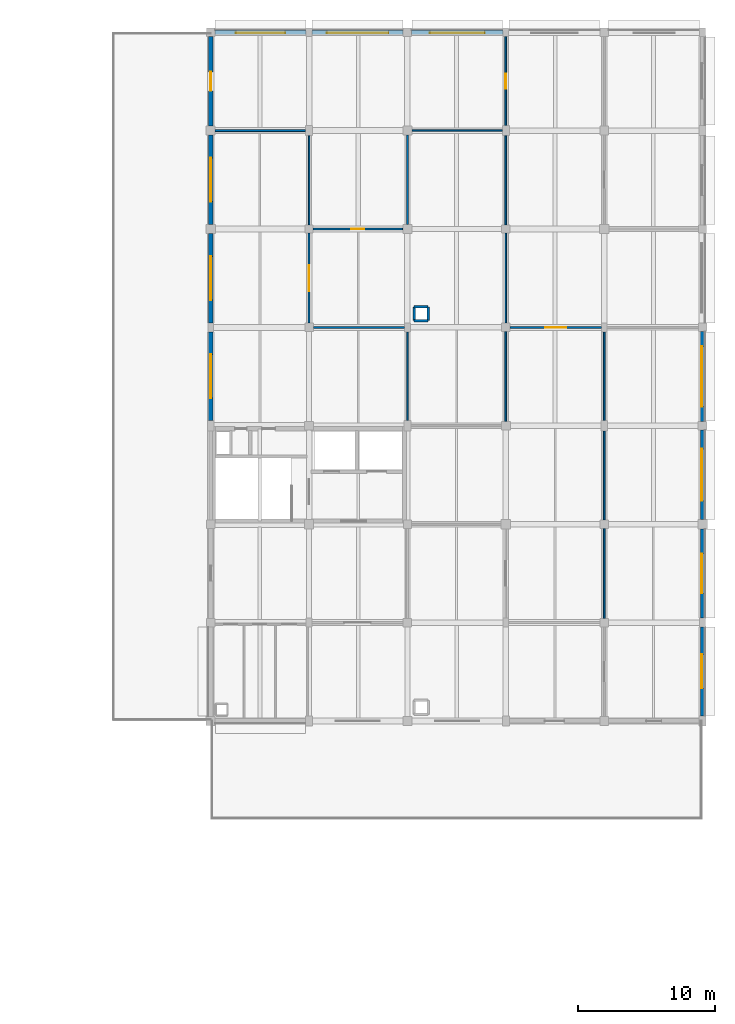
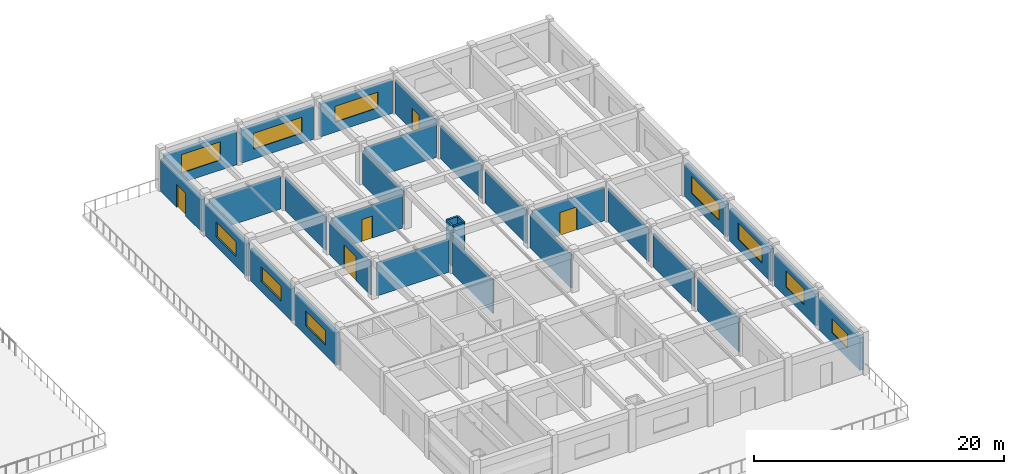
# One storey, part 30 of 38: 31 walls, 10 windows, 5 doors, 15 openings.
"""IFC4 building model written with IfcOpenShell, lengths in metres."""

from ifc_helpers import new_model, si_unit, direction, frame, frame_2d, origin, place, context, subcontext, project, spatial, rectangle, extrude, material, layer, layer_set, type_object, element, fill, save


model = new_model("IFC4")

# Units and contexts
model_context = context("Model", 3, precision=1e-05, world=origin(), true_north=direction((0.0, 1.0)))
body_context = subcontext(model_context, "Body", "Model", "MODEL_VIEW")
ifc_project = project(units=[si_unit("LENGTHUNIT", "METRE"), si_unit("AREAUNIT", "SQUARE_METRE"), si_unit("VOLUMEUNIT", "CUBIC_METRE"), si_unit("PLANEANGLEUNIT", "RADIAN"), si_unit("MASSUNIT", "GRAM", prefix="KILO")], contexts=[model_context])

# Site, building, storey
site_placement = place(None, origin())
site = spatial("IfcSite", under=ifc_project, at=site_placement, CompositionType="ELEMENT")
building_placement = place(site_placement, origin())
building = spatial("IfcBuilding", under=site, at=building_placement, Name="Thalmaran Polytechnic", CompositionType="ELEMENT")
storey_placement = place(building_placement, frame((0.0, 0.0, 18.60009765625)))
storey = spatial("IfcBuildingStorey", under=building, at=storey_placement, Name="L04", CompositionType="ELEMENT", Elevation=18.60009765625)

# Wall, opening, door
ifc_material_1 = material(Name="Precast concrete C40/50", Category="concrete")
ifc_layer_1 = layer(ifc_material_1, 0.330078125, Name="Precast concrete C40/50")
ifc_layer_set_1 = layer_set([ifc_layer_1], Name="Precast concrete C40/50")
wall_type_1 = type_object("IfcWallType", Name="WL-EW02", PredefinedType="STANDARD", material=ifc_layer_set_1)
wall_1_placement = place(storey_placement, frame((136.800048828125, 115.52490234375, 0.0), z_axis=(0.0, 0.0, 1.0), x_axis=(0.0, 1.0, 0.0)))
wall_1 = element("IfcWall", 1, at=wall_1_placement, inside=storey, type_object=wall_type_1, Name="Terrace Access Wall L04-001", PredefinedType="STANDARD", context=body_context, shape_type="SweptSolid", body=[
    extrude(rectangle(XDim=6.565185546875, YDim=0.330078125, at=frame_2d((3.28271484375, 0.0))), origin(), (0.0, 0.0, 1.0), 3.159912109375),
])
opening_1_placement = place(wall_1_placement, frame((2.58251953125, 0.0, 0.0)))
opening_1 = element("IfcOpeningElement", 2, at=opening_1_placement, cuts=wall_1, Name="Opening TD-009", PredefinedType="OPENING", context=body_context, shape_type="SweptSolid", body=[
    extrude(rectangle(XDim=1.39990234375, YDim=2.25, at=frame_2d((0.699951171875, 1.125))), frame((0.0, 0.175048828125, 0.0), z_axis=(0.0, -1.0, 0.0), x_axis=(1.0, 0.0, 0.0)), (0.0, 0.0, 1.0), 0.35009765625),
])
ifc_material_2 = material(Name="Anodised aluminium and safety glass", Category="aluminium")
door_type_1 = type_object("IfcDoorType", Name="DR-TD01", OperationType="NOTDEFINED", PredefinedType="DOOR", material=ifc_material_2)
door_1_placement = place(opening_1_placement, origin())
door_1 = element("IfcDoor", 3, at=door_1_placement, inside=storey, type_object=door_type_1, Name="Terrace Access Door TD-009", OperationType="SINGLE_SWING_LEFT", OverallHeight=2.25, OverallWidth=1.39990234375, PredefinedType="DOOR", context=body_context, shape_type="SweptSolid", body=[
    extrude(rectangle(XDim=1.39990234375, YDim=2.25, at=frame_2d((0.699951171875, 1.125))), frame((0.0, 0.02490234375, 0.0), z_axis=(0.0, -1.0, 0.0), x_axis=(1.0, 0.0, 0.0)), (0.0, 0.0, 1.0), 0.050048828125),
])
fill(opening_1, door_1)

# Wall, opening, window
wall_2_placement = place(storey_placement, frame((136.800048828125, 93.97509765625, 0.0), z_axis=(0.0, 0.0, 1.0), x_axis=(0.0, 1.0, 0.0)))
wall_2 = element("IfcWall", 4, at=wall_2_placement, inside=storey, type_object=wall_type_1, Name="Terrace Access Wall L04-022", PredefinedType="STANDARD", context=body_context, shape_type="SweptSolid", body=[
    extrude(rectangle(XDim=6.5048828125, YDim=0.330078125, at=frame_2d((3.25244140625, 0.0))), origin(), (0.0, 0.0, 1.0), 3.159912109375),
])
opening_2_placement = place(wall_2_placement, frame((1.652587890625, 0.0, 0.949951171875)))
opening_2 = element("IfcOpeningElement", 5, at=opening_2_placement, cuts=wall_2, Name="Opening RW04", PredefinedType="OPENING", context=body_context, shape_type="SweptSolid", body=[
    extrude(rectangle(XDim=3.199951171875, YDim=1.449951171875, at=frame_2d((1.60009765625, 0.72509765625))), frame((0.0, 0.175048828125, 0.0), z_axis=(0.0, -1.0, 0.0), x_axis=(1.0, 0.0, 0.0)), (0.0, 0.0, 1.0), 0.35009765625),
])
ifc_material_3 = material(Name="Thermally broken aluminium and double low-E glass", Category="aluminium")
window_type_1 = type_object("IfcWindowType", Name="WN-RW04", PartitioningType="DOUBLE_PANEL_VERTICAL", PredefinedType="WINDOW", material=ifc_material_3)
window_1_placement = place(opening_2_placement, origin())
window_1 = element("IfcWindow", 6, at=window_1_placement, inside=storey, type_object=window_type_1, Name="Terrace Ribbon Window W-0545", OverallHeight=1.449951171875, OverallWidth=3.199951171875, PartitioningType="SINGLE_PANEL", PredefinedType="WINDOW", context=body_context, shape_type="SweptSolid", body=[
    extrude(rectangle(XDim=3.199951171875, YDim=1.449951171875, at=frame_2d((1.60009765625, 0.72509765625))), frame((0.0, 0.030029296875, 0.0), z_axis=(0.0, -1.0, 0.0), x_axis=(1.0, 0.0, 0.0)), (0.0, 0.0, 1.0), 0.06005859375),
])
fill(opening_2, window_1)

wall_3_placement = place(storey_placement, frame((136.800048828125, 101.1201171875, 0.0), z_axis=(0.0, 0.0, 1.0), x_axis=(0.0, 1.0, 0.0)))
wall_3 = element("IfcWall", 7, at=wall_3_placement, inside=storey, type_object=wall_type_1, Name="Terrace Access Wall L04-023", PredefinedType="STANDARD", context=body_context, shape_type="SweptSolid", body=[
    extrude(rectangle(XDim=6.539794921875, YDim=0.330078125, at=frame_2d((3.27001953125, 0.0))), origin(), (0.0, 0.0, 1.0), 3.159912109375),
])
opening_3_placement = place(wall_3_placement, frame((1.669921875, 0.0, 0.949951171875)))
opening_3 = element("IfcOpeningElement", 8, at=opening_3_placement, cuts=wall_3, Name="Opening RW04", PredefinedType="OPENING", context=body_context, shape_type="SweptSolid", body=[
    extrude(rectangle(XDim=3.199951171875, YDim=1.449951171875, at=frame_2d((1.60009765625, 0.72509765625))), frame((0.0, 0.175048828125, 0.0), z_axis=(0.0, -1.0, 0.0), x_axis=(1.0, 0.0, 0.0)), (0.0, 0.0, 1.0), 0.35009765625),
])
window_2_placement = place(opening_3_placement, origin())
window_2 = element("IfcWindow", 9, at=window_2_placement, inside=storey, type_object=window_type_1, Name="Terrace Ribbon Window W-0546", OverallHeight=1.449951171875, OverallWidth=3.199951171875, PartitioningType="SINGLE_PANEL", PredefinedType="WINDOW", context=body_context, shape_type="SweptSolid", body=[
    extrude(rectangle(XDim=3.199951171875, YDim=1.449951171875, at=frame_2d((1.60009765625, 0.72509765625))), frame((0.0, 0.030029296875, 0.0), z_axis=(0.0, -1.0, 0.0), x_axis=(1.0, 0.0, 0.0)), (0.0, 0.0, 1.0), 0.06005859375),
])
fill(opening_3, window_2)

wall_4_placement = place(storey_placement, frame((136.800048828125, 108.340087890625, 0.0), z_axis=(0.0, 0.0, 1.0), x_axis=(0.0, 1.0, 0.0)))
wall_4 = element("IfcWall", 10, at=wall_4_placement, inside=storey, type_object=wall_type_1, Name="Terrace Access Wall L04-024", PredefinedType="STANDARD", context=body_context, shape_type="SweptSolid", body=[
    extrude(rectangle(XDim=6.534912109375, YDim=0.330078125, at=frame_2d((3.267578125, 0.0))), origin(), (0.0, 0.0, 1.0), 3.159912109375),
])
opening_4_placement = place(wall_4_placement, frame((1.66748046875, 0.0, 0.949951171875)))
opening_4 = element("IfcOpeningElement", 11, at=opening_4_placement, cuts=wall_4, Name="Opening RW04", PredefinedType="OPENING", context=body_context, shape_type="SweptSolid", body=[
    extrude(rectangle(XDim=3.199951171875, YDim=1.449951171875, at=frame_2d((1.60009765625, 0.72509765625))), frame((0.0, 0.175048828125, 0.0), z_axis=(0.0, -1.0, 0.0), x_axis=(1.0, 0.0, 0.0)), (0.0, 0.0, 1.0), 0.35009765625),
])
window_3_placement = place(opening_4_placement, origin())
window_3 = element("IfcWindow", 12, at=window_3_placement, inside=storey, type_object=window_type_1, Name="Terrace Ribbon Window W-0547", OverallHeight=1.449951171875, OverallWidth=3.199951171875, PartitioningType="SINGLE_PANEL", PredefinedType="WINDOW", context=body_context, shape_type="SweptSolid", body=[
    extrude(rectangle(XDim=3.199951171875, YDim=1.449951171875, at=frame_2d((1.60009765625, 0.72509765625))), frame((0.0, 0.030029296875, 0.0), z_axis=(0.0, -1.0, 0.0), x_axis=(1.0, 0.0, 0.0)), (0.0, 0.0, 1.0), 0.06005859375),
])
fill(opening_4, window_3)

ifc_layer_2 = layer(ifc_material_1, 0.31005859375, Name="Precast concrete C40/50")
ifc_layer_set_2 = layer_set([ifc_layer_2], Name="Precast concrete C40/50")
wall_type_2 = type_object("IfcWallType", Name="WL-EW03", PredefinedType="STANDARD", material=ifc_layer_set_2)
wall_5_placement = place(storey_placement, frame((137.110107421875, 122.39990234375, 0.0), z_axis=(0.0, 0.0, 1.0), x_axis=(1.0, 0.0, 0.0)))
wall_5 = element("IfcWall", 13, at=wall_5_placement, inside=storey, type_object=wall_type_2, Name="Exterior Precast Facade Wall L04-002", PredefinedType="STANDARD", context=body_context, shape_type="SweptSolid", body=[
    extrude(rectangle(XDim=6.679931640625, YDim=0.31005859375, at=frame_2d((3.33984375, 0.0))), origin(), (0.0, 0.0, 1.0), 3.2099609375),
])
opening_5_placement = place(wall_5_placement, frame((1.5400390625, 0.0, 0.97998046875)))
opening_5 = element("IfcOpeningElement", 14, at=opening_5_placement, cuts=wall_5, Name="Opening RW08", PredefinedType="OPENING", context=body_context, shape_type="SweptSolid", body=[
    extrude(rectangle(XDim=3.60009765625, YDim=1.800048828125, at=frame_2d((1.800048828125, 0.89990234375))), frame((0.0, 0.1650390625, 0.0), z_axis=(0.0, -1.0, 0.0), x_axis=(1.0, 0.0, 0.0)), (0.0, 0.0, 1.0), 0.330078125),
])
window_type_2 = type_object("IfcWindowType", Name="WN-RW08", PartitioningType="DOUBLE_PANEL_VERTICAL", PredefinedType="WINDOW", material=ifc_material_3)
window_4_placement = place(opening_5_placement, origin())
window_4 = element("IfcWindow", 15, at=window_4_placement, inside=storey, type_object=window_type_2, Name="Streamline Ribbon Window W-0531", OverallHeight=1.800048828125, OverallWidth=3.60009765625, PartitioningType="SINGLE_PANEL", PredefinedType="WINDOW", context=body_context, shape_type="SweptSolid", body=[
    extrude(rectangle(XDim=3.60009765625, YDim=1.800048828125, at=frame_2d((1.800048828125, 0.89990234375))), frame((0.0, -0.030029296875, 0.0), z_axis=(0.0, -1.0, 0.0), x_axis=(1.0, 0.0, 0.0)), (0.0, 0.0, 1.0), 0.06005859375),
])
fill(opening_5, window_4)

wall_6_placement = place(storey_placement, frame((144.2099609375, 122.39990234375, 0.0), z_axis=(0.0, 0.0, 1.0), x_axis=(1.0, 0.0, 0.0)))
wall_6 = element("IfcWall", 16, at=wall_6_placement, inside=storey, type_object=wall_type_2, Name="Exterior Precast Facade Wall L04-003", PredefinedType="STANDARD", context=body_context, shape_type="SweptSolid", body=[
    extrude(rectangle(XDim=6.679931640625, YDim=0.31005859375, at=frame_2d((3.33984375, 0.0))), origin(), (0.0, 0.0, 1.0), 3.2099609375),
])
opening_6_placement = place(wall_6_placement, frame((1.090087890625, 0.0, 0.97998046875)))
opening_6 = element("IfcOpeningElement", 17, at=opening_6_placement, cuts=wall_6, Name="Opening VW01", PredefinedType="OPENING", context=body_context, shape_type="SweptSolid", body=[
    extrude(rectangle(XDim=4.5, YDim=1.550048828125, at=frame_2d((2.25, 0.77490234375))), frame((0.0, 0.1650390625, 0.0), z_axis=(0.0, -1.0, 0.0), x_axis=(1.0, 0.0, 0.0)), (0.0, 0.0, 1.0), 0.330078125),
])
window_type_3 = type_object("IfcWindowType", Name="WN-VZ01", PartitioningType="TRIPLE_PANEL_HORIZONTAL", PredefinedType="WINDOW", material=ifc_material_3)
window_5_placement = place(opening_6_placement, origin())
window_5 = element("IfcWindow", 18, at=window_5_placement, inside=storey, type_object=window_type_3, Name="Streamline Ribbon Window W-0532", OverallHeight=1.550048828125, OverallWidth=4.5, PartitioningType="SINGLE_PANEL", PredefinedType="WINDOW", context=body_context, shape_type="SweptSolid", body=[
    extrude(rectangle(XDim=4.5, YDim=1.550048828125, at=frame_2d((2.25, 0.77490234375))), frame((0.0, -0.030029296875, 0.0), z_axis=(0.0, -1.0, 0.0), x_axis=(1.0, 0.0, 0.0)), (0.0, 0.0, 1.0), 0.06005859375),
])
fill(opening_6, window_5)

wall_7_placement = place(storey_placement, frame((151.510009765625, 122.39990234375, 0.0), z_axis=(0.0, 0.0, 1.0), x_axis=(1.0, 0.0, 0.0)))
wall_7 = element("IfcWall", 19, at=wall_7_placement, inside=storey, type_object=wall_type_2, Name="Exterior Precast Facade Wall L04-004", PredefinedType="STANDARD", context=body_context, shape_type="SweptSolid", body=[
    extrude(rectangle(XDim=6.679931640625, YDim=0.31005859375, at=frame_2d((3.33984375, 0.0))), origin(), (0.0, 0.0, 1.0), 3.2099609375),
])
opening_7_placement = place(wall_7_placement, frame((1.340087890625, 0.0, 0.97998046875)))
opening_7 = element("IfcOpeningElement", 20, at=opening_7_placement, cuts=wall_7, Name="Opening VW02", PredefinedType="OPENING", context=body_context, shape_type="SweptSolid", body=[
    extrude(rectangle(XDim=4.0, YDim=1.550048828125, at=frame_2d((2.0, 0.77490234375))), frame((0.0, 0.1650390625, 0.0), z_axis=(0.0, -1.0, 0.0), x_axis=(1.0, 0.0, 0.0)), (0.0, 0.0, 1.0), 0.330078125),
])
window_type_4 = type_object("IfcWindowType", Name="WN-VZ02", PartitioningType="TRIPLE_PANEL_HORIZONTAL", PredefinedType="WINDOW", material=ifc_material_3)
window_6_placement = place(opening_7_placement, origin())
window_6 = element("IfcWindow", 21, at=window_6_placement, inside=storey, type_object=window_type_4, Name="Streamline Ribbon Window W-0533", OverallHeight=1.550048828125, OverallWidth=4.0, PartitioningType="SINGLE_PANEL", PredefinedType="WINDOW", context=body_context, shape_type="SweptSolid", body=[
    extrude(rectangle(XDim=4.0, YDim=1.550048828125, at=frame_2d((2.0, 0.77490234375))), frame((0.0, -0.030029296875, 0.0), z_axis=(0.0, -1.0, 0.0), x_axis=(1.0, 0.0, 0.0)), (0.0, 0.0, 1.0), 0.06005859375),
])
fill(opening_7, window_6)

wall_8_placement = place(storey_placement, frame((172.800048828125, 100.489990234375, 0.0), z_axis=(0.0, 0.0, 1.0), x_axis=(0.0, -1.0, 0.0)))
wall_8 = element("IfcWall", 22, at=wall_8_placement, inside=storey, type_object=wall_type_2, Name="Exterior Precast Facade Wall L04-010", PredefinedType="STANDARD", context=body_context, shape_type="SweptSolid", body=[
    extrude(rectangle(XDim=6.56494140625, YDim=0.31005859375, at=frame_2d((3.282470703125, 0.0))), origin(), (0.0, 0.0, 1.0), 3.159912109375),
])
opening_8_placement = place(wall_8_placement, frame((1.08251953125, 0.0, 0.97998046875)))
opening_8 = element("IfcOpeningElement", 23, at=opening_8_placement, cuts=wall_8, Name="Opening VW16", PredefinedType="OPENING", context=body_context, shape_type="SweptSolid", body=[
    extrude(rectangle(XDim=4.39990234375, YDim=1.64990234375, at=frame_2d((2.199951171875, 0.824951171875))), frame((0.0, 0.1650390625, 0.0), z_axis=(0.0, -1.0, 0.0), x_axis=(1.0, 0.0, 0.0)), (0.0, 0.0, 1.0), 0.330078125),
])
window_type_5 = type_object("IfcWindowType", Name="WN-VZ16", PartitioningType="TRIPLE_PANEL_HORIZONTAL", PredefinedType="WINDOW", material=ifc_material_3)
window_7_placement = place(opening_8_placement, origin())
window_7 = element("IfcWindow", 24, at=window_7_placement, inside=storey, type_object=window_type_5, Name="Streamline Ribbon Window W-0539", OverallHeight=1.64990234375, OverallWidth=4.39990234375, PartitioningType="SINGLE_PANEL", PredefinedType="WINDOW", context=body_context, shape_type="SweptSolid", body=[
    extrude(rectangle(XDim=4.39990234375, YDim=1.64990234375, at=frame_2d((2.199951171875, 0.824951171875))), frame((0.0, -0.030029296875, 0.0), z_axis=(0.0, -1.0, 0.0), x_axis=(1.0, 0.0, 0.0)), (0.0, 0.0, 1.0), 0.06005859375),
])
fill(opening_8, window_7)

wall_9_placement = place(storey_placement, frame((172.800048828125, 93.27490234375, 0.0), z_axis=(0.0, 0.0, 1.0), x_axis=(0.0, -1.0, 0.0)))
wall_9 = element("IfcWall", 25, at=wall_9_placement, inside=storey, type_object=wall_type_2, Name="Exterior Precast Facade Wall L04-011", PredefinedType="STANDARD", context=body_context, shape_type="SweptSolid", body=[
    extrude(rectangle(XDim=6.534912109375, YDim=0.31005859375, at=frame_2d((3.267578125, 0.0))), origin(), (0.0, 0.0, 1.0), 3.159912109375),
])
opening_9_placement = place(wall_9_placement, frame((1.367431640625, 0.0, 0.97998046875)))
opening_9 = element("IfcOpeningElement", 26, at=opening_9_placement, cuts=wall_9, Name="Opening VW17", PredefinedType="OPENING", context=body_context, shape_type="SweptSolid", body=[
    extrude(rectangle(XDim=3.800048828125, YDim=1.60009765625, at=frame_2d((1.89990234375, 0.800048828125))), frame((0.0, 0.1650390625, 0.0), z_axis=(0.0, -1.0, 0.0), x_axis=(1.0, 0.0, 0.0)), (0.0, 0.0, 1.0), 0.330078125),
])
window_type_6 = type_object("IfcWindowType", Name="WN-VZ17", PartitioningType="DOUBLE_PANEL_VERTICAL", PredefinedType="WINDOW", material=ifc_material_3)
window_8_placement = place(opening_9_placement, origin())
window_8 = element("IfcWindow", 27, at=window_8_placement, inside=storey, type_object=window_type_6, Name="Streamline Ribbon Window W-0540", OverallHeight=1.60009765625, OverallWidth=3.800048828125, PartitioningType="SINGLE_PANEL", PredefinedType="WINDOW", context=body_context, shape_type="SweptSolid", body=[
    extrude(rectangle(XDim=3.800048828125, YDim=1.60009765625, at=frame_2d((1.89990234375, 0.800048828125))), frame((0.0, -0.030029296875, 0.0), z_axis=(0.0, -1.0, 0.0), x_axis=(1.0, 0.0, 0.0)), (0.0, 0.0, 1.0), 0.06005859375),
])
fill(opening_9, window_8)

wall_10_placement = place(storey_placement, frame((172.800048828125, 86.06005859375, 0.0), z_axis=(0.0, 0.0, 1.0), x_axis=(0.0, -1.0, 0.0)))
wall_10 = element("IfcWall", 28, at=wall_10_placement, inside=storey, type_object=wall_type_2, Name="Exterior Precast Facade Wall L04-012", PredefinedType="STANDARD", context=body_context, shape_type="SweptSolid", body=[
    extrude(rectangle(XDim=6.5400390625, YDim=0.31005859375, at=frame_2d((3.27001953125, 0.0))), origin(), (0.0, 0.0, 1.0), 3.159912109375),
])
opening_10_placement = place(wall_10_placement, frame((1.820068359375, 0.0, 0.97998046875)))
opening_10 = element("IfcOpeningElement", 29, at=opening_10_placement, cuts=wall_10, Name="Opening VW18", PredefinedType="OPENING", context=body_context, shape_type="SweptSolid", body=[
    extrude(rectangle(XDim=2.89990234375, YDim=1.60009765625, at=frame_2d((1.449951171875, 0.800048828125))), frame((0.0, 0.1650390625, 0.0), z_axis=(0.0, -1.0, 0.0), x_axis=(1.0, 0.0, 0.0)), (0.0, 0.0, 1.0), 0.330078125),
])
window_type_7 = type_object("IfcWindowType", Name="WN-VZ18", PartitioningType="DOUBLE_PANEL_VERTICAL", PredefinedType="WINDOW", material=ifc_material_3)
window_9_placement = place(opening_10_placement, origin())
window_9 = element("IfcWindow", 30, at=window_9_placement, inside=storey, type_object=window_type_7, Name="Streamline Ribbon Window W-0541", OverallHeight=1.60009765625, OverallWidth=2.89990234375, PartitioningType="SINGLE_PANEL", PredefinedType="WINDOW", context=body_context, shape_type="SweptSolid", body=[
    extrude(rectangle(XDim=2.89990234375, YDim=1.60009765625, at=frame_2d((1.449951171875, 0.800048828125))), frame((0.0, -0.030029296875, 0.0), z_axis=(0.0, -1.0, 0.0), x_axis=(1.0, 0.0, 0.0)), (0.0, 0.0, 1.0), 0.06005859375),
])
fill(opening_10, window_9)

wall_11_placement = place(storey_placement, frame((172.800048828125, 78.8798828125, 0.0), z_axis=(0.0, 0.0, 1.0), x_axis=(0.0, -1.0, 0.0)))
wall_11 = element("IfcWall", 31, at=wall_11_placement, inside=storey, type_object=wall_type_2, Name="Exterior Precast Facade Wall L04-013", PredefinedType="STANDARD", context=body_context, shape_type="SweptSolid", body=[
    extrude(rectangle(XDim=6.5048828125, YDim=0.31005859375, at=frame_2d((3.25244140625, 0.0))), origin(), (0.0, 0.0, 1.0), 3.159912109375),
])
opening_11_placement = place(wall_11_placement, frame((2.00244140625, 0.0, 0.97998046875)))
opening_11 = element("IfcOpeningElement", 32, at=opening_11_placement, cuts=wall_11, Name="Opening VW19", PredefinedType="OPENING", context=body_context, shape_type="SweptSolid", body=[
    extrude(rectangle(XDim=2.5, YDim=1.35009765625, at=frame_2d((1.25, 0.675048828125))), frame((0.0, 0.1650390625, 0.0), z_axis=(0.0, -1.0, 0.0), x_axis=(1.0, 0.0, 0.0)), (0.0, 0.0, 1.0), 0.330078125),
])
window_type_8 = type_object("IfcWindowType", Name="WN-VZ19", PartitioningType="DOUBLE_PANEL_VERTICAL", PredefinedType="WINDOW", material=ifc_material_3)
window_10_placement = place(opening_11_placement, origin())
window_10 = element("IfcWindow", 33, at=window_10_placement, inside=storey, type_object=window_type_8, Name="Streamline Ribbon Window W-0542", OverallHeight=1.35009765625, OverallWidth=2.5, PartitioningType="SINGLE_PANEL", PredefinedType="WINDOW", context=body_context, shape_type="SweptSolid", body=[
    extrude(rectangle(XDim=2.5, YDim=1.35009765625, at=frame_2d((1.25, 0.675048828125))), frame((0.0, -0.030029296875, 0.0), z_axis=(0.0, -1.0, 0.0), x_axis=(1.0, 0.0, 0.0)), (0.0, 0.0, 1.0), 0.06005859375),
])
fill(opening_11, window_10)

# Walls
ifc_material_4 = material(Name="Autoclaved aerated masonry", Category="masonry")
ifc_layer_3 = layer(ifc_material_4, 0.179931640625, Name="Autoclaved aerated masonry")
ifc_layer_set_3 = layer_set([ifc_layer_3], Name="Autoclaved aerated masonry")
wall_type_3 = type_object("IfcWallType", Name="WL-IW04", PredefinedType="PARTITIONING", material=ifc_layer_set_3)
for number, where, z_axis, x_axis, name in (
    (34, (151.68994140625, 101.2900390625, 0.0), (0.0, 0.0, 1.0), (1.0, 0.0, 0.0), "Fume Exhaust Riser Shaft Wall L04 (21,14)-S"),
    (35, (152.7099609375, 101.2900390625, 0.0), (0.0, 0.0, 1.0), (0.0, 1.0, 0.0), "Fume Exhaust Riser Shaft Wall L04 (21,14)-E"),
    (36, (152.7099609375, 102.31005859375, 0.0), (0.0, 0.0, 1.0), (-1.0, 0.0, 0.0), "Fume Exhaust Riser Shaft Wall L04 (21,14)-N"),
    (37, (151.68994140625, 102.31005859375, 0.0), (0.0, 0.0, 1.0), (0.0, -1.0, 0.0), "Fume Exhaust Riser Shaft Wall L04 (21,14)-W"),
):
    element("IfcWall", number, at=place(storey_placement, frame(where, z_axis=z_axis, x_axis=x_axis)), inside=storey, type_object=wall_type_3, Name=name, PredefinedType="PARTITIONING", context=body_context, shape_type="SweptSolid", body=[
        extrude(rectangle(XDim=1.02001953125, YDim=0.179931640625, at=frame_2d((0.510009765625, 0.0))), origin(), (0.0, 0.0, 1.0), 3.954833984375),
    ])

# Wall, opening, door
ifc_material_5 = material(Name="Gypsum acoustic partition")
ifc_layer_4 = layer(ifc_material_5, 0.1298828125, Name="Gypsum acoustic partition")
ifc_layer_set_4 = layer_set([ifc_layer_4], Name="Gypsum acoustic partition")
wall_type_4 = type_object("IfcWallType", Name="WL-IW07", PredefinedType="PARTITIONING", material=ifc_layer_set_4)
wall_12_placement = place(storey_placement, frame((144.0, 101.114990234375, 0.0), z_axis=(0.0, 0.0, 1.0), x_axis=(0.0, 1.0, 0.0)))
wall_12 = element("IfcWall", 38, at=wall_12_placement, inside=storey, type_object=wall_type_4, Name="Interior Partition IW07 L04-062", PredefinedType="PARTITIONING", context=body_context, shape_type="SweptSolid", body=[
    extrude(rectangle(XDim=6.580078125, YDim=0.1298828125, at=frame_2d((3.2900390625, 0.0))), origin(), (0.0, 0.0, 1.0), 3.27001953125),
])
opening_12_placement = place(wall_12_placement, frame((2.330078125, 0.0, 0.0)))
opening_12 = element("IfcOpeningElement", 39, at=opening_12_placement, cuts=wall_12, Name="Opening D-L04-033-5-01-1", PredefinedType="OPENING", context=body_context, shape_type="SweptSolid", body=[
    extrude(rectangle(XDim=1.919921875, YDim=2.35009765625, at=frame_2d((0.9599609375, 1.175048828125))), frame((0.0, 0.074951171875, 0.0), z_axis=(0.0, -1.0, 0.0), x_axis=(1.0, 0.0, 0.0)), (0.0, 0.0, 1.0), 0.14990234375),
])
ifc_material_6 = material(Name="Acoustic hardwood and vision glass", Category="wood")
door_type_2 = type_object("IfcDoorType", Name="DR-ZD01", OperationType="NOTDEFINED", PredefinedType="DOOR", material=ifc_material_6)
door_2_placement = place(opening_12_placement, origin())
door_2 = element("IfcDoor", 40, at=door_2_placement, inside=storey, type_object=door_type_2, Name="Process Engineering Laboratory L04-01 Door 1", OperationType="SINGLE_SWING_RIGHT", OverallHeight=2.35009765625, OverallWidth=1.919921875, PredefinedType="DOOR", context=body_context, shape_type="SweptSolid", body=[
    extrude(rectangle(XDim=1.919921875, YDim=2.35009765625, at=frame_2d((0.9599609375, 1.175048828125))), frame((0.0, 0.02490234375, 0.0), z_axis=(0.0, -1.0, 0.0), x_axis=(1.0, 0.0, 0.0)), (0.0, 0.0, 1.0), 0.050048828125),
])
fill(opening_12, door_2)

# Walls
wall_13_placement = place(storey_placement, frame((137.1298828125, 115.199951171875, 0.0), z_axis=(0.0, 0.0, 1.0), x_axis=(1.0, 0.0, 0.0)))
element("IfcWall", 41, at=wall_13_placement, inside=storey, type_object=wall_type_4, Name="Interior Partition IW07 L04-064", PredefinedType="PARTITIONING", context=body_context, shape_type="SweptSolid", body=[
    extrude(rectangle(XDim=6.615234375, YDim=0.1298828125, at=frame_2d((3.3076171875, 0.0))), origin(), (0.0, 0.0, 1.0), 3.239990234375),
])
wall_14_placement = place(storey_placement, frame((144.31494140625, 100.800048828125, 0.0), z_axis=(0.0, 0.0, 1.0), x_axis=(1.0, 0.0, 0.0)))
element("IfcWall", 42, at=wall_14_placement, inside=storey, type_object=wall_type_4, Name="Interior Partition IW07 L04-068", PredefinedType="PARTITIONING", context=body_context, shape_type="SweptSolid", body=[
    extrude(rectangle(XDim=6.670166015625, YDim=0.1298828125, at=frame_2d((3.3349609375, 0.0))), origin(), (0.0, 0.0, 1.0), 3.244873046875),
])
wall_15_placement = place(storey_placement, frame((151.199951171875, 108.344970703125, 0.0), z_axis=(0.0, 0.0, 1.0), x_axis=(0.0, 1.0, 0.0)))
element("IfcWall", 43, at=wall_15_placement, inside=storey, type_object=wall_type_4, Name="Interior Partition IW07 L04-070", PredefinedType="PARTITIONING", context=body_context, shape_type="SweptSolid", body=[
    extrude(rectangle(XDim=6.525146484375, YDim=0.1298828125, at=frame_2d((3.2626953125, 0.0))), origin(), (0.0, 0.0, 1.0), 3.27001953125),
])
wall_16_placement = place(storey_placement, frame((158.39990234375, 93.929931640625, 0.0), z_axis=(0.0, 0.0, 1.0), x_axis=(0.0, 1.0, 0.0)))
element("IfcWall", 44, at=wall_16_placement, inside=storey, type_object=wall_type_4, Name="Interior Partition IW07 L04-074", PredefinedType="PARTITIONING", context=body_context, shape_type="SweptSolid", body=[
    extrude(rectangle(XDim=6.55517578125, YDim=0.1298828125, at=frame_2d((3.277587890625, 0.0))), origin(), (0.0, 0.0, 1.0), 3.27490234375),
])
wall_17_placement = place(storey_placement, frame((158.39990234375, 108.304931640625, 0.0), z_axis=(0.0, 0.0, 1.0), x_axis=(0.0, 1.0, 0.0)))
element("IfcWall", 45, at=wall_17_placement, inside=storey, type_object=wall_type_4, Name="Interior Partition IW07 L04-076", PredefinedType="PARTITIONING", context=body_context, shape_type="SweptSolid", body=[
    extrude(rectangle(XDim=6.51513671875, YDim=0.1298828125, at=frame_2d((3.257568359375, 0.0))), origin(), (0.0, 0.0, 1.0), 3.27001953125),
])

# Wall, opening, door
wall_18_placement = place(storey_placement, frame((158.39990234375, 115.580078125, 0.0), z_axis=(0.0, 0.0, 1.0), x_axis=(0.0, 1.0, 0.0)))
wall_18 = element("IfcWall", 46, at=wall_18_placement, inside=storey, type_object=wall_type_4, Name="Interior Partition IW07 L04-078", PredefinedType="PARTITIONING", context=body_context, shape_type="SweptSolid", body=[
    extrude(rectangle(XDim=6.494873046875, YDim=0.1298828125, at=frame_2d((3.24755859375, 0.0))), origin(), (0.0, 0.0, 1.0), 3.3349609375),
])
opening_13_placement = place(wall_18_placement, frame((2.697509765625, 0.0, 0.0)))
opening_13 = element("IfcOpeningElement", 47, at=opening_13_placement, cuts=wall_18, Name="Opening D-L04-031-5-02-1", PredefinedType="OPENING", context=body_context, shape_type="SweptSolid", body=[
    extrude(rectangle(XDim=1.10009765625, YDim=2.14990234375, at=frame_2d((0.550048828125, 1.074951171875))), frame((0.0, 0.074951171875, 0.0), z_axis=(0.0, -1.0, 0.0), x_axis=(1.0, 0.0, 0.0)), (0.0, 0.0, 1.0), 0.14990234375),
])
ifc_material_7 = material(Name="Powder-coated fire-rated steel", Category="steel")
door_type_3 = type_object("IfcDoorType", Name="DR-FD07", OperationType="NOTDEFINED", PredefinedType="DOOR", material=ifc_material_7)
door_3_placement = place(opening_13_placement, origin())
door_3 = element("IfcDoor", 48, at=door_3_placement, inside=storey, type_object=door_type_3, Name="Robotics and Automation Laboratory L04-02 Door 1", OperationType="SINGLE_SWING_RIGHT", OverallHeight=2.14990234375, OverallWidth=1.10009765625, PredefinedType="DOOR", context=body_context, shape_type="SweptSolid", body=[
    extrude(rectangle(XDim=1.10009765625, YDim=2.14990234375, at=frame_2d((0.550048828125, 1.074951171875))), frame((0.0, 0.02490234375, 0.0), z_axis=(0.0, -1.0, 0.0), x_axis=(1.0, 0.0, 0.0)), (0.0, 0.0, 1.0), 0.050048828125),
])
fill(opening_13, door_3)

# Wall
wall_19_placement = place(storey_placement, frame((165.60009765625, 86.705078125, 0.0), z_axis=(0.0, 0.0, 1.0), x_axis=(0.0, 1.0, 0.0)))
element("IfcWall", 49, at=wall_19_placement, inside=storey, type_object=wall_type_4, Name="Interior Partition IW07 L04-082", PredefinedType="PARTITIONING", context=body_context, shape_type="SweptSolid", body=[
    extrude(rectangle(XDim=6.514892578125, YDim=0.1298828125, at=frame_2d((3.25732421875, 0.0))), origin(), (0.0, 0.0, 1.0), 3.27978515625),
])

# Wall, opening, door
wall_20_placement = place(storey_placement, frame((158.715087890625, 100.800048828125, 0.0), z_axis=(0.0, 0.0, 1.0), x_axis=(1.0, 0.0, 0.0)))
wall_20 = element("IfcWall", 50, at=wall_20_placement, inside=storey, type_object=wall_type_4, Name="Interior Partition IW07 L04-084", PredefinedType="PARTITIONING", context=body_context, shape_type="SweptSolid", body=[
    extrude(rectangle(XDim=6.669921875, YDim=0.1298828125, at=frame_2d((3.3349609375, 0.0))), origin(), (0.0, 0.0, 1.0), 3.304931640625),
])
opening_14_placement = place(wall_20_placement, frame((2.554931640625, 0.0, 0.0)))
opening_14 = element("IfcOpeningElement", 51, at=opening_14_placement, cuts=wall_20, Name="Opening D-L04-026-5-06-1", PredefinedType="OPENING", context=body_context, shape_type="SweptSolid", body=[
    extrude(rectangle(XDim=1.56005859375, YDim=2.25, at=frame_2d((0.780029296875, 1.125))), frame((0.0, 0.074951171875, 0.0), z_axis=(0.0, -1.0, 0.0), x_axis=(1.0, 0.0, 0.0)), (0.0, 0.0, 1.0), 0.14990234375),
])
door_type_4 = type_object("IfcDoorType", Name="DR-ZD03", OperationType="NOTDEFINED", PredefinedType="DOOR", material=ifc_material_6)
door_4_placement = place(opening_14_placement, origin())
door_4 = element("IfcDoor", 52, at=door_4_placement, inside=storey, type_object=door_type_4, Name="Seminar Room L04-06 Door 1", OperationType="SINGLE_SWING_LEFT", OverallHeight=2.25, OverallWidth=1.56005859375, PredefinedType="DOOR", context=body_context, shape_type="SweptSolid", body=[
    extrude(rectangle(XDim=1.56005859375, YDim=2.25, at=frame_2d((0.780029296875, 1.125))), frame((0.0, 0.02490234375, 0.0), z_axis=(0.0, -1.0, 0.0), x_axis=(1.0, 0.0, 0.0)), (0.0, 0.0, 1.0), 0.050048828125),
])
fill(opening_14, door_4)

# Walls
ifc_layer_5 = layer(ifc_material_5, 0.114990234375, Name="Gypsum acoustic partition")
ifc_layer_set_5 = layer_set([ifc_layer_5], Name="Gypsum acoustic partition")
wall_type_5 = type_object("IfcWallType", Name="WL-IW08", PredefinedType="PARTITIONING", material=ifc_layer_set_5)
wall_21_placement = place(storey_placement, frame((144.0, 108.304931640625, 0.0), z_axis=(0.0, 0.0, 1.0), x_axis=(0.0, 1.0, 0.0)))
element("IfcWall", 53, at=wall_21_placement, inside=storey, type_object=wall_type_5, Name="Interior Partition IW08 L04-063", PredefinedType="PARTITIONING", context=body_context, shape_type="SweptSolid", body=[
    extrude(rectangle(XDim=6.51513671875, YDim=0.114990234375, at=frame_2d((3.257568359375, 0.0))), origin(), (0.0, 0.0, 1.0), 3.27001953125),
])
wall_22_placement = place(storey_placement, frame((151.199951171875, 93.97998046875, 0.0), z_axis=(0.0, 0.0, 1.0), x_axis=(0.0, 1.0, 0.0)))
element("IfcWall", 54, at=wall_22_placement, inside=storey, type_object=wall_type_5, Name="Interior Partition IW08 L04-067", PredefinedType="PARTITIONING", context=body_context, shape_type="SweptSolid", body=[
    extrude(rectangle(XDim=6.4951171875, YDim=0.114990234375, at=frame_2d((3.24755859375, 0.0))), origin(), (0.0, 0.0, 1.0), 3.27490234375),
])

# Wall, opening, door
wall_23_placement = place(storey_placement, frame((144.304931640625, 108.0, 0.0), z_axis=(0.0, 0.0, 1.0), x_axis=(1.0, 0.0, 0.0)))
wall_23 = element("IfcWall", 55, at=wall_23_placement, inside=storey, type_object=wall_type_5, Name="Interior Partition IW08 L04-069", PredefinedType="PARTITIONING", context=body_context, shape_type="SweptSolid", body=[
    extrude(rectangle(XDim=6.550048828125, YDim=0.114990234375, at=frame_2d((3.27490234375, 0.0))), origin(), (0.0, 0.0, 1.0), 3.244873046875),
])
opening_15_placement = place(wall_23_placement, frame((2.800048828125, 0.0, 0.0)))
opening_15 = element("IfcOpeningElement", 56, at=opening_15_placement, cuts=wall_23, Name="Opening D-L04-032-5-04-1", PredefinedType="OPENING", context=body_context, shape_type="SweptSolid", body=[
    extrude(rectangle(XDim=0.949951171875, YDim=2.14990234375, at=frame_2d((0.47509765625, 1.074951171875))), frame((0.0, 0.0673828125, 0.0), z_axis=(0.0, -1.0, 0.0), x_axis=(1.0, 0.0, 0.0)), (0.0, 0.0, 1.0), 0.135009765625),
])
door_type_5 = type_object("IfcDoorType", Name="DR-FD08", OperationType="NOTDEFINED", PredefinedType="DOOR", material=ifc_material_7)
door_5_placement = place(opening_15_placement, origin())
door_5 = element("IfcDoor", 57, at=door_5_placement, inside=storey, type_object=door_type_5, Name="Photonics and Electronics Laboratory L04-04 Door 1", OperationType="SINGLE_SWING_LEFT", OverallHeight=2.14990234375, OverallWidth=0.949951171875, PredefinedType="DOOR", context=body_context, shape_type="SweptSolid", body=[
    extrude(rectangle(XDim=0.949951171875, YDim=2.14990234375, at=frame_2d((0.47509765625, 1.074951171875))), frame((0.0, 0.02490234375, 0.0), z_axis=(0.0, -1.0, 0.0), x_axis=(1.0, 0.0, 0.0)), (0.0, 0.0, 1.0), 0.050048828125),
])
fill(opening_15, door_5)

# Walls
wall_24_placement = place(storey_placement, frame((158.39990234375, 101.114990234375, 0.0), z_axis=(0.0, 0.0, 1.0), x_axis=(0.0, 1.0, 0.0)))
element("IfcWall", 58, at=wall_24_placement, inside=storey, type_object=wall_type_5, Name="Interior Partition IW08 L04-075", PredefinedType="PARTITIONING", context=body_context, shape_type="SweptSolid", body=[
    extrude(rectangle(XDim=6.580078125, YDim=0.114990234375, at=frame_2d((3.2900390625, 0.0))), origin(), (0.0, 0.0, 1.0), 3.27001953125),
])
wall_25_placement = place(storey_placement, frame((151.530029296875, 115.199951171875, 0.0), z_axis=(0.0, 0.0, 1.0), x_axis=(1.0, 0.0, 0.0)))
element("IfcWall", 59, at=wall_25_placement, inside=storey, type_object=wall_type_5, Name="Interior Partition IW08 L04-077", PredefinedType="PARTITIONING", context=body_context, shape_type="SweptSolid", body=[
    extrude(rectangle(XDim=6.614990234375, YDim=0.114990234375, at=frame_2d((3.3076171875, 0.0))), origin(), (0.0, 0.0, 1.0), 3.264892578125),
])
wall_26_placement = place(storey_placement, frame((165.60009765625, 79.514892578125, 0.0), z_axis=(0.0, 0.0, 1.0), x_axis=(0.0, 1.0, 0.0)))
element("IfcWall", 60, at=wall_26_placement, inside=storey, type_object=wall_type_5, Name="Interior Partition IW08 L04-081", PredefinedType="PARTITIONING", context=body_context, shape_type="SweptSolid", body=[
    extrude(rectangle(XDim=6.580078125, YDim=0.114990234375, at=frame_2d((3.2900390625, 0.0))), origin(), (0.0, 0.0, 1.0), 3.27978515625),
])
wall_27_placement = place(storey_placement, frame((165.60009765625, 93.97998046875, 0.0), z_axis=(0.0, 0.0, 1.0), x_axis=(0.0, 1.0, 0.0)))
element("IfcWall", 61, at=wall_27_placement, inside=storey, type_object=wall_type_5, Name="Interior Partition IW08 L04-083", PredefinedType="PARTITIONING", context=body_context, shape_type="SweptSolid", body=[
    extrude(rectangle(XDim=6.4951171875, YDim=0.114990234375, at=frame_2d((3.24755859375, 0.0))), origin(), (0.0, 0.0, 1.0), 3.27490234375),
])

save(model, "model.ifc")
